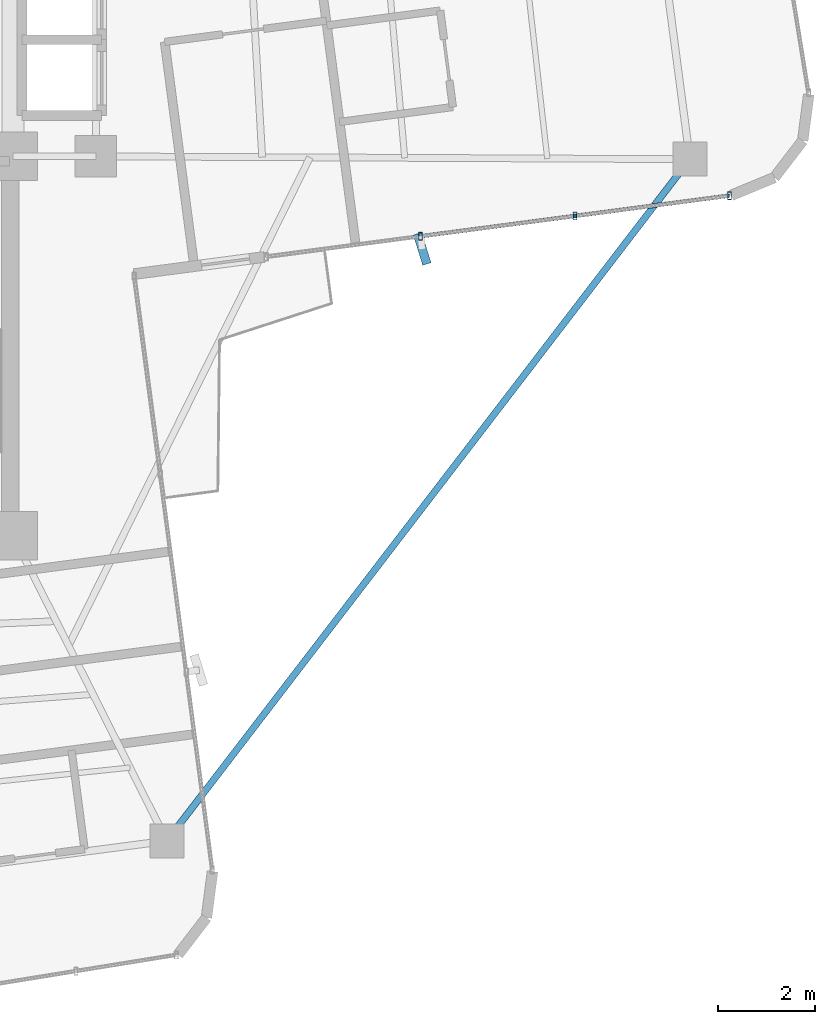
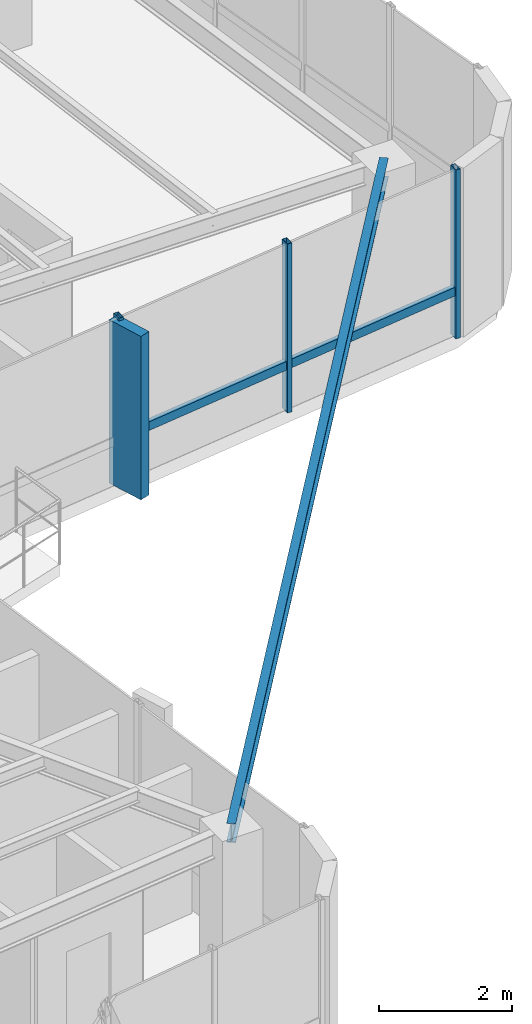
# One storey, part 12 of 22: 6 members, 1 beam, 1 element without a shape of its own.
"""IFC4 building model written with IfcOpenShell, lengths in metres."""

from ifc_helpers import new_model, si_unit, direction, frame, origin, origin_2d, place, context, subcontext, project, spatial, rectangle, hollow_rectangle, i_section, extrude, source, transform, mapped, material, material_profile, profile_set, type_object, element, aggregate, save


model = new_model("IFC4")

# Units and contexts
model_context = context("Model", 3, precision=1e-05, world=origin(), true_north=direction((0.0, 1.0)))
body_context = subcontext(model_context, "Body", "Model", "MODEL_VIEW")
ifc_project = project(units=[si_unit("LENGTHUNIT", "METRE"), si_unit("AREAUNIT", "SQUARE_METRE"), si_unit("VOLUMEUNIT", "CUBIC_METRE"), si_unit("PLANEANGLEUNIT", "RADIAN"), si_unit("MASSUNIT", "GRAM", prefix="KILO")], contexts=[model_context])

# Site, building, storey
site_placement = place(None, origin())
site = spatial("IfcSite", under=ifc_project, at=site_placement, CompositionType="ELEMENT")
building_placement = place(site_placement, origin())
building = spatial("IfcBuilding", under=site, at=building_placement, Name="Sahyath Konkavel Grand Hotel", CompositionType="ELEMENT")
storey_placement = place(building_placement, frame((0.0, 0.0, 257.89990234375)))
storey = spatial("IfcBuildingStorey", under=building, at=storey_placement, Name="L72", CompositionType="ELEMENT", Elevation=257.89990234375)

# Beam
ifc_material_1 = material(Name="Steel E350", Category="steel")
ifc_material_profile_1 = material_profile(ifc_material_1, i_section(OverallWidth=0.139892578125, OverallDepth=0.35009765625, WebThickness=0.008056640625, FlangeThickness=0.01416015625, FilletRadius=0.013916015625, at=origin_2d()), Name="ISMB 350")
ifc_profile_set_1 = profile_set([ifc_material_profile_1], Name="Steel E350")
beam_type = type_object("IfcBeamType", Name="BM-ISMB350", PredefinedType="BEAM", material=ifc_profile_set_1)
shared_shape_1 = source(origin(), body_context, "Body", "SweptSolid", [
    extrude(i_section(OverallWidth=0.139892578125, OverallDepth=0.35009765625, WebThickness=0.008056640625, FlangeThickness=0.01416015625, FilletRadius=0.013916015625, at=origin_2d()), origin(), (0.0, 0.0, 1.0), 17.663330078125),
])
beam_placement = place(storey_placement, frame((17.71240234375, -2.458984375, 2.93505859375), z_axis=(-0.608754453805, -0.793358692504, 0.0), x_axis=(0.793358692504, -0.608754453805, 0.0)))
element("IfcBeam", 1, at=beam_placement, inside=storey, type_object=beam_type, Name="L72 Re-Entrant Tie Beam SE", PredefinedType="BEAM", context=body_context, shape_type="MappedRepresentation", body=[
    mapped(shared_shape_1, transform((0.0, 0.0, 0.0), scale=1.0)),
])

# Curtain wall, members
ifc_material_2 = material(Name="Anodised Bronze Aluminium & Low-E Glazing", Category="aluminium")
curtain_wall_type = type_object("IfcCurtainWallType", Name="CW-ZONE4", PredefinedType="NOTDEFINED", material=ifc_material_2)
curtain_wall_placement = place(storey_placement, origin())
curtain_wall = element("IfcCurtainWall", 2, at=curtain_wall_placement, inside=storey, type_object=curtain_wall_type, Name="L72 Unitised Curtain Wall F0", PredefinedType="NOTDEFINED")
ifc_material_3 = material(Name="Warm Buff Sandstone Cladding on Concrete C50/60", Category="masonry")
ifc_material_profile_2 = material_profile(ifc_material_3, rectangle(XDim=0.179931640625, YDim=0.64990234375, at=origin_2d()), Name="FIN 180x650")
ifc_profile_set_2 = profile_set([ifc_material_profile_2], Name="Warm Buff Sandstone Cladding on Concrete C50/60")
member_type_1 = type_object("IfcMemberType", Name="FIN-SANDSTONE-650", PredefinedType="MULLION", material=ifc_profile_set_2)
shared_shape_2 = source(origin(), body_context, "Body", "SweptSolid", [
    extrude(rectangle(XDim=0.179931640625, YDim=0.64990234375, at=origin_2d()), origin(), (0.0, 0.0, 1.0), 3.010009765625),
])
member_1_placement = place(storey_placement, frame((12.20947265625, -4.30322265625, 0.050048828125), z_axis=(0.0, 0.0, 1.0), x_axis=(0.954448865814, 0.298374534012, 0.0)))
member_1 = element("IfcMember", 3, at=member_1_placement, type_object=member_type_1, Name="L72 Sandstone Vertical Solar Fin FIN F0-1", PredefinedType="MULLION", context=body_context, shape_type="MappedRepresentation", body=[
    mapped(shared_shape_2, transform((0.0, 0.0, 0.0), scale=1.0)),
])
ifc_material_4 = material(Name="Anodised Bronze Aluminium", Category="aluminium")
ifc_material_profile_3 = material_profile(ifc_material_4, hollow_rectangle(XDim=0.080078125, YDim=0.159912109375, WallThickness=0.006103515625, at=origin_2d()), Name="RHS 160x80x6")
ifc_profile_set_3 = profile_set([ifc_material_profile_3], Name="Anodised Bronze Aluminium")
member_type_2 = type_object("IfcMemberType", Name="CW-MUL-160", PredefinedType="MULLION", material=ifc_profile_set_3)
shared_shape_3 = source(origin(), body_context, "Body", "SweptSolid", [
    extrude(hollow_rectangle(XDim=0.080078125, YDim=0.159912109375, WallThickness=0.006103515625, at=origin_2d()), origin(), (0.0, 0.0, 1.0), 3.110107421875),
])
member_2_placement = place(storey_placement, frame((12.175537109375, -4.04541015625, 0.0), z_axis=(0.0, 0.0, 1.0), x_axis=(1.0, 0.0, 0.0)))
member_2 = element("IfcMember", 4, at=member_2_placement, type_object=member_type_2, Name="L72 Curtain Wall Mullion F0-1", PredefinedType="MULLION", context=body_context, shape_type="MappedRepresentation", body=[
    mapped(shared_shape_3, transform((0.0, 0.0, 0.0), scale=1.0)),
])
member_3_placement = place(storey_placement, frame((15.351318359375, -3.627197265625, 0.0), z_axis=(0.0, 0.0, 1.0), x_axis=(1.0, 0.0, 0.0)))
member_3 = element("IfcMember", 5, at=member_3_placement, type_object=member_type_2, Name="L72 Curtain Wall Mullion F0-2", PredefinedType="MULLION", context=body_context, shape_type="MappedRepresentation", body=[
    mapped(shared_shape_3, transform((0.0, 0.0, 0.0), scale=1.0)),
])
member_4_placement = place(storey_placement, frame((18.52734375, -3.208984375, 0.0), z_axis=(0.0, 0.0, 1.0), x_axis=(1.0, 0.0, 0.0)))
member_4 = element("IfcMember", 6, at=member_4_placement, type_object=member_type_2, Name="L72 Curtain Wall Mullion F0-3", PredefinedType="MULLION", context=body_context, shape_type="MappedRepresentation", body=[
    mapped(shared_shape_3, transform((0.0, 0.0, 0.0), scale=1.0)),
])
ifc_material_profile_4 = material_profile(ifc_material_4, hollow_rectangle(XDim=0.080078125, YDim=0.159912109375, WallThickness=0.006103515625, at=origin_2d()), Name="RHS 160x80x6")
ifc_profile_set_4 = profile_set([ifc_material_profile_4], Name="Anodised Bronze Aluminium")
member_type_3 = type_object("IfcMemberType", Name="CW-TRN-160", PredefinedType="USERDEFINED", material=ifc_profile_set_4)
shared_shape_4 = source(origin(), body_context, "Body", "SweptSolid", [
    extrude(hollow_rectangle(XDim=0.080078125, YDim=0.159912109375, WallThickness=0.006103515625, at=origin_2d()), origin(), (0.0, 0.0, 1.0), 3.203369140625),
])
member_5_placement = place(storey_placement, frame((15.351318359375, -3.627197265625, 0.85009765625), z_axis=(0.991441580194, 0.130551112835, 0.0), x_axis=(-0.130551112835, 0.991441580194, 0.0)))
member_5 = element("IfcMember", 7, at=member_5_placement, type_object=member_type_3, Name="L72 Curtain Wall Transom F0-2-spandrel", ObjectType="TRANSOM", PredefinedType="USERDEFINED", context=body_context, shape_type="MappedRepresentation", body=[
    mapped(shared_shape_4, transform((0.0, 0.0, 0.0), scale=1.0)),
])
shared_shape_5 = source(origin(), body_context, "Body", "SweptSolid", [
    extrude(hollow_rectangle(XDim=0.080078125, YDim=0.159912109375, WallThickness=0.006103515625, at=origin_2d()), origin(), (0.0, 0.0, 1.0), 3.203125),
])
member_6_placement = place(storey_placement, frame((12.175537109375, -4.04541015625, 0.85009765625), z_axis=(0.991440281121, 0.13056097798, 0.0), x_axis=(-0.13056097798, 0.991440281121, 0.0)))
member_6 = element("IfcMember", 8, at=member_6_placement, type_object=member_type_3, Name="L72 Curtain Wall Transom F0-1-spandrel", ObjectType="TRANSOM", PredefinedType="USERDEFINED", context=body_context, shape_type="MappedRepresentation", body=[
    mapped(shared_shape_5, transform((0.0, 0.0, 0.0), scale=1.0)),
])
aggregate(curtain_wall, [member_2, member_1, member_3, member_4, member_6, member_5])

save(model, "model.ifc")
